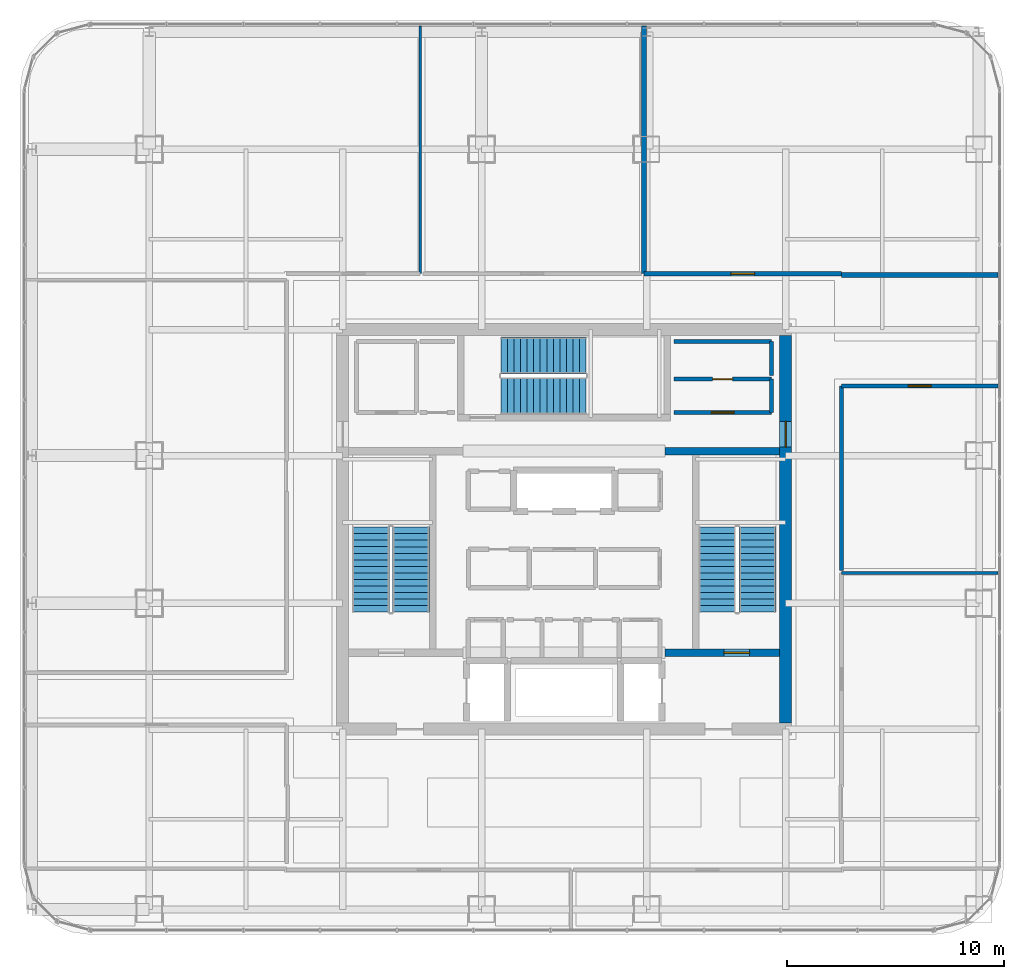
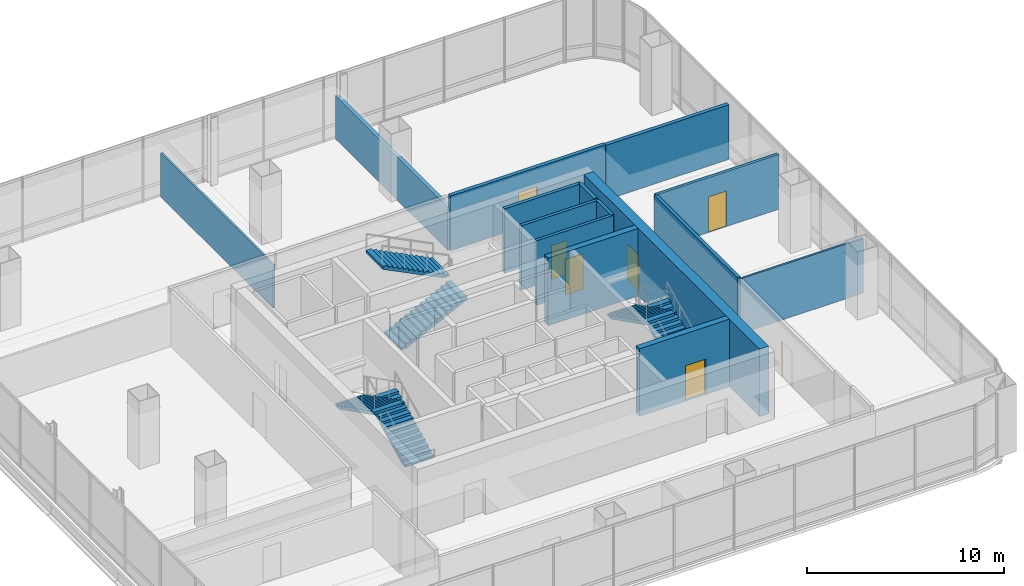
# One storey, part 36 of 41: 15 walls, 6 doors, 6 stair flights, 6 openings, 3 elements without a shape of their own.
"""IFC4 building model written with IfcOpenShell, lengths in metres."""

from ifc_helpers import new_model, si_unit, direction, frame, frame_2d, origin, place, context, subcontext, project, spatial, polyline, rectangle, outline, extrude, material, layer, layer_set, type_object, element, fill, aggregate, save


model = new_model("IFC4")

# Units and contexts
model_context = context("Model", 3, precision=1e-05, world=origin(), true_north=direction((0.0, 1.0)))
body_context = subcontext(model_context, "Body", "Model", "MODEL_VIEW")
ifc_project = project(units=[si_unit("LENGTHUNIT", "METRE"), si_unit("AREAUNIT", "SQUARE_METRE"), si_unit("VOLUMEUNIT", "CUBIC_METRE"), si_unit("PLANEANGLEUNIT", "RADIAN"), si_unit("MASSUNIT", "GRAM", prefix="KILO")], contexts=[model_context])

# Site, building, storey
site_placement = place(None, origin())
site = spatial("IfcSite", under=ifc_project, at=site_placement, CompositionType="ELEMENT")
building_placement = place(site_placement, origin())
building = spatial("IfcBuilding", under=site, at=building_placement, Name="Punatoya Terracotta Tower", CompositionType="ELEMENT")
storey_placement = place(building_placement, frame((0.0, 0.0, 288.0)))
storey = spatial("IfcBuildingStorey", under=building, at=storey_placement, Name="L68", CompositionType="ELEMENT", Elevation=288.0)

# Wall, opening, door
ifc_material_1 = material(Name="Concrete C50/60", Category="concrete")
ifc_layer_1 = layer(ifc_material_1, 0.550048828125)
ifc_layer_set_1 = layer_set([ifc_layer_1], Name="Concrete C50/60")
wall_type_1 = type_object("IfcWallType", Name="WL-COR-550", PredefinedType="SHEAR", material=ifc_layer_set_1)
wall_1_placement = place(storey_placement, frame((10.199951171875, 8.925048828125, 0.0), z_axis=(0.0, 0.0, 1.0), x_axis=(0.0, -1.0, 0.0)))
wall_1 = element("IfcWall", 1, at=wall_1_placement, inside=storey, type_object=wall_type_1, Name="L68 Core Shear Wall E", PredefinedType="SHEAR", context=body_context, shape_type="SweptSolid", body=[
    extrude(rectangle(XDim=17.85009765625, YDim=0.550048828125, at=frame_2d((8.925048828125, 0.0))), origin(), (0.0, 0.0, 1.0), 4.199951171875),
])
opening_1_placement = place(wall_1_placement, frame((3.955078125, 0.0, 0.0)))
opening_1 = element("IfcOpeningElement", 2, at=opening_1_placement, cuts=wall_1, Name="Opening SD-01", PredefinedType="OPENING", context=body_context, shape_type="SweptSolid", body=[
    extrude(rectangle(XDim=1.179931640625, YDim=2.199951171875, at=frame_2d((0.58984375, 1.10009765625))), frame((0.0, 0.284912109375, 0.0), z_axis=(0.0, -1.0, 0.0), x_axis=(1.0, 0.0, 0.0)), (0.0, 0.0, 1.0), 0.570068359375),
])
ifc_material_2 = material(Name="Galvanised Steel Pressurized Stair Fire Door", Category="steel")
door_type_1 = type_object("IfcDoorType", Name="DR-STR-1180", OperationType="NOTDEFINED", PredefinedType="DOOR", material=ifc_material_2)
door_1_placement = place(opening_1_placement, origin())
door_1 = element("IfcDoor", 3, at=door_1_placement, inside=storey, type_object=door_type_1, Name="L68 Central Lift Lobby East Fire Door", OperationType="SINGLE_SWING_RIGHT", OverallHeight=2.199951171875, OverallWidth=1.179931640625, PredefinedType="DOOR", context=body_context, shape_type="SweptSolid", body=[
    extrude(rectangle(XDim=1.179931640625, YDim=2.199951171875, at=frame_2d((0.58984375, 1.10009765625))), frame((0.0, 0.02490234375, 0.0), z_axis=(0.0, -1.0, 0.0), x_axis=(1.0, 0.0, 0.0)), (0.0, 0.0, 1.0), 0.050048828125),
])
fill(opening_1, door_1)

# Wall
ifc_material_3 = material(Name="Gypsum Fireboard + Steel Stud", Category="steel")
ifc_layer_2 = layer(ifc_material_3, 0.179931640625)
ifc_layer_set_2 = layer_set([ifc_layer_2], Name="Gypsum Fireboard + Steel Stud")
wall_type_2 = type_object("IfcWallType", Name="WL-CORR-180", PredefinedType="PARTITIONING", material=ifc_layer_set_2)
wall_2_placement = place(storey_placement, frame((9.550048828125, 5.3798828125, 0.0), z_axis=(0.0, 0.0, 1.0), x_axis=(0.0, 1.0, 0.0)))
element("IfcWall", 4, at=wall_2_placement, inside=storey, type_object=wall_type_2, Name="L68 East Core Reference Room Partition 34", PredefinedType="PARTITIONING", context=body_context, shape_type="SweptSolid", body=[
    extrude(rectangle(XDim=1.5400390625, YDim=0.179931640625, at=frame_2d((0.77001953125, 0.0))), origin(), (0.0, 0.0, 1.0), 4.0),
])

# Wall, opening, door
wall_3_placement = place(storey_placement, frame((9.550048828125, 6.919921875, 0.0), z_axis=(0.0, 0.0, 1.0), x_axis=(-1.0, 0.0, 0.0)))
wall_3 = element("IfcWall", 5, at=wall_3_placement, inside=storey, type_object=wall_type_2, Name="L68 East Core Reference Room Partition 35", PredefinedType="PARTITIONING", context=body_context, shape_type="SweptSolid", body=[
    extrude(rectangle(XDim=4.5, YDim=0.179931640625, at=frame_2d((2.25, 0.0))), origin(), (0.0, 0.0, 1.0), 4.0),
])
opening_2_placement = place(wall_3_placement, frame((1.7900390625, 0.0, 0.0)))
opening_2 = element("IfcOpeningElement", 6, at=opening_2_placement, cuts=wall_3, Name="Opening FD-R1", PredefinedType="OPENING", context=body_context, shape_type="SweptSolid", body=[
    extrude(rectangle(XDim=0.919921875, YDim=2.10009765625, at=frame_2d((0.4599609375, 1.050048828125))), frame((0.0, 0.099853515625, 0.0), z_axis=(0.0, -1.0, 0.0), x_axis=(1.0, 0.0, 0.0)), (0.0, 0.0, 1.0), 0.199951171875),
])
ifc_material_4 = material(Name="Galvanised Steel Riser Fire Access Door", Category="steel")
door_type_2 = type_object("IfcDoorType", Name="DR-RSR-920", OperationType="NOTDEFINED", PredefinedType="DOOR", material=ifc_material_4)
door_2_placement = place(opening_2_placement, origin())
door_2 = element("IfcDoor", 7, at=door_2_placement, inside=storey, type_object=door_type_2, Name="L68 East Core Supply Store Fire Door", OperationType="SINGLE_SWING_LEFT", OverallHeight=2.10009765625, OverallWidth=0.919921875, PredefinedType="DOOR", context=body_context, shape_type="SweptSolid", body=[
    extrude(rectangle(XDim=0.919921875, YDim=2.10009765625, at=frame_2d((0.4599609375, 1.050048828125))), frame((0.0, 0.02490234375, 0.0), z_axis=(0.0, -1.0, 0.0), x_axis=(1.0, 0.0, 0.0)), (0.0, 0.0, 1.0), 0.050048828125),
])
fill(opening_2, door_2)

wall_4_placement = place(storey_placement, frame((5.050048828125, 5.3798828125, 0.0), z_axis=(0.0, 0.0, 1.0), x_axis=(1.0, 0.0, 0.0)))
wall_4 = element("IfcWall", 8, at=wall_4_placement, inside=storey, type_object=wall_type_2, Name="L68 East Core Reference Room Partition 36", PredefinedType="PARTITIONING", context=body_context, shape_type="SweptSolid", body=[
    extrude(rectangle(XDim=4.5, YDim=0.179931640625, at=frame_2d((2.25, 0.0))), origin(), (0.0, 0.0, 1.0), 4.0),
])
opening_3_placement = place(wall_4_placement, frame((1.72509765625, 0.0, 0.0)))
opening_3 = element("IfcOpeningElement", 9, at=opening_3_placement, cuts=wall_4, Name="Opening OD-01", PredefinedType="OPENING", context=body_context, shape_type="SweptSolid", body=[
    extrude(rectangle(XDim=1.050048828125, YDim=2.199951171875, at=frame_2d((0.52490234375, 1.10009765625))), frame((0.0, 0.099853515625, 0.0), z_axis=(0.0, -1.0, 0.0), x_axis=(1.0, 0.0, 0.0)), (0.0, 0.0, 1.0), 0.199951171875),
])
ifc_material_5 = material(Name="Bengal Teak Solid-Core Leaf")
door_type_3 = type_object("IfcDoorType", Name="DR-OFF-1050", OperationType="NOTDEFINED", PredefinedType="DOOR", material=ifc_material_5)
door_3_placement = place(opening_3_placement, origin())
door_3 = element("IfcDoor", 10, at=door_3_placement, inside=storey, type_object=door_type_3, Name="L68 East Reference Room Door", OperationType="SINGLE_SWING_RIGHT", OverallHeight=2.199951171875, OverallWidth=1.050048828125, PredefinedType="DOOR", context=body_context, shape_type="SweptSolid", body=[
    extrude(rectangle(XDim=1.050048828125, YDim=2.199951171875, at=frame_2d((0.52490234375, 1.10009765625))), frame((0.0, 0.02490234375, 0.0), z_axis=(0.0, -1.0, 0.0), x_axis=(1.0, 0.0, 0.0)), (0.0, 0.0, 1.0), 0.050048828125),
])
fill(opening_3, door_3)

wall_5_placement = place(storey_placement, frame((12.77001953125, 6.60009765625, 0.0), z_axis=(0.0, 0.0, 1.0), x_axis=(1.0, 0.0, 0.0)))
wall_5 = element("IfcWall", 11, at=wall_5_placement, inside=storey, type_object=wall_type_2, Name="L68 Open-Plan Laboratory Staff Pantry Partition 55", PredefinedType="PARTITIONING", context=body_context, shape_type="SweptSolid", body=[
    extrude(rectangle(XDim=7.199951171875, YDim=0.179931640625, at=frame_2d((3.60009765625, 0.0))), origin(), (0.0, 0.0, 1.0), 3.39404296875),
])
opening_4_placement = place(wall_5_placement, frame((3.074951171875, 0.0, 0.0)))
opening_4 = element("IfcOpeningElement", 12, at=opening_4_placement, cuts=wall_5, Name="Opening OD-01", PredefinedType="OPENING", context=body_context, shape_type="SweptSolid", body=[
    extrude(rectangle(XDim=1.050048828125, YDim=2.199951171875, at=frame_2d((0.52490234375, 1.10009765625))), frame((0.0, 0.099853515625, 0.0), z_axis=(0.0, -1.0, 0.0), x_axis=(1.0, 0.0, 0.0)), (0.0, 0.0, 1.0), 0.199951171875),
])
door_4_placement = place(opening_4_placement, origin())
door_4 = element("IfcDoor", 13, at=door_4_placement, inside=storey, type_object=door_type_3, Name="L68 Open-Plan Laboratory Staff Pantry Door", OperationType="SINGLE_SWING_LEFT", OverallHeight=2.199951171875, OverallWidth=1.050048828125, PredefinedType="DOOR", context=body_context, shape_type="SweptSolid", body=[
    extrude(rectangle(XDim=1.050048828125, YDim=2.199951171875, at=frame_2d((0.52490234375, 1.10009765625))), frame((0.0, 0.02490234375, 0.0), z_axis=(0.0, -1.0, 0.0), x_axis=(1.0, 0.0, 0.0)), (0.0, 0.0, 1.0), 0.050048828125),
])
fill(opening_4, door_4)

# Walls
wall_6_placement = place(storey_placement, frame((12.77001953125, -1.889892578125, 0.0), z_axis=(0.0, 0.0, 1.0), x_axis=(0.0, 1.0, 0.0)))
element("IfcWall", 14, at=wall_6_placement, inside=storey, type_object=wall_type_2, Name="L68 Open-Plan Laboratory Staff Pantry Partition 56", PredefinedType="PARTITIONING", context=body_context, shape_type="SweptSolid", body=[
    extrude(rectangle(XDim=8.489990234375, YDim=0.179931640625, at=frame_2d((4.2451171875, 0.0))), origin(), (0.0, 0.0, 1.0), 3.39404296875),
])
ifc_material_6 = material(Name="Concrete C40/50", Category="concrete")
ifc_layer_3 = layer(ifc_material_6, 0.219970703125)
ifc_layer_set_3 = layer_set([ifc_layer_3], Name="Concrete C40/50")
wall_type_3 = type_object("IfcWallType", Name="WL-FIR-220", PredefinedType="SOLIDWALL", material=ifc_layer_set_3)
wall_7_placement = place(storey_placement, frame((3.678955078125, 11.77001953125, 0.0), z_axis=(0.0, 0.0, 1.0), x_axis=(0.0, 1.0, 0.0)))
element("IfcWall", 15, at=wall_7_placement, inside=storey, type_object=wall_type_3, Name="L68 Geospatial Data Archive Partition 59", PredefinedType="SOLIDWALL", context=body_context, shape_type="SweptSolid", body=[
    extrude(rectangle(XDim=11.39990234375, YDim=0.219970703125, at=frame_2d((5.699951171875, 0.0))), origin(), (0.0, 0.0, 1.0), 2.674072265625),
])
wall_8_placement = place(storey_placement, frame((19.969970703125, 11.7099609375, 0.0), z_axis=(0.0, 0.0, 1.0), x_axis=(-1.0, 0.0, 0.0)))
element("IfcWall", 16, at=wall_8_placement, inside=storey, type_object=wall_type_3, Name="L68 Geospatial Data Archive Partition 60", PredefinedType="SOLIDWALL", context=body_context, shape_type="SweptSolid", body=[
    extrude(rectangle(XDim=7.199951171875, YDim=0.219970703125, at=frame_2d((3.60009765625, 0.0))), origin(), (0.0, 0.0, 1.0), 3.39404296875),
])

# Wall, opening, door
wall_9_placement = place(storey_placement, frame((12.77001953125, 11.77001953125, 0.0), z_axis=(0.0, 0.0, 1.0), x_axis=(-1.0, 0.0, 0.0)))
wall_9 = element("IfcWall", 17, at=wall_9_placement, inside=storey, type_object=wall_type_3, Name="L68 Geospatial Data Archive Partition 61", PredefinedType="SOLIDWALL", context=body_context, shape_type="SweptSolid", body=[
    extrude(rectangle(XDim=9.091064453125, YDim=0.219970703125, at=frame_2d((4.54541015625, 0.0))), origin(), (0.0, 0.0, 1.0), 3.39404296875),
])
opening_5_placement = place(wall_9_placement, frame((3.99560546875, 0.0, 0.0)))
opening_5 = element("IfcOpeningElement", 18, at=opening_5_placement, cuts=wall_9, Name="Opening FD-P1", PredefinedType="OPENING", context=body_context, shape_type="SweptSolid", body=[
    extrude(rectangle(XDim=1.10009765625, YDim=2.199951171875, at=frame_2d((0.550048828125, 1.10009765625))), frame((0.0, 0.119873046875, 0.0), z_axis=(0.0, -1.0, 0.0), x_axis=(1.0, 0.0, 0.0)), (0.0, 0.0, 1.0), 0.239990234375),
])
ifc_material_7 = material(Name="Galvanised Steel Plant Fire Door", Category="steel")
door_type_4 = type_object("IfcDoorType", Name="DR-PLT-1100", OperationType="NOTDEFINED", PredefinedType="DOOR", material=ifc_material_7)
door_5_placement = place(opening_5_placement, origin())
door_5 = element("IfcDoor", 19, at=door_5_placement, inside=storey, type_object=door_type_4, Name="L68 Geospatial Data Archive Fire Door", OperationType="SINGLE_SWING_LEFT", OverallHeight=2.199951171875, OverallWidth=1.10009765625, PredefinedType="DOOR", context=body_context, shape_type="SweptSolid", body=[
    extrude(rectangle(XDim=1.10009765625, YDim=2.199951171875, at=frame_2d((0.550048828125, 1.10009765625))), frame((0.0, 0.02490234375, 0.0), z_axis=(0.0, -1.0, 0.0), x_axis=(1.0, 0.0, 0.0)), (0.0, 0.0, 1.0), 0.050048828125),
])
fill(opening_5, door_5)

# Walls
ifc_layer_4 = layer(ifc_material_6, 0.199951171875)
ifc_layer_set_4 = layer_set([ifc_layer_4], Name="Concrete C40/50")
wall_type_4 = type_object("IfcWallType", Name="WL-INT-200", PredefinedType="SOLIDWALL", material=ifc_layer_set_4)
wall_10_placement = place(storey_placement, frame((9.550048828125, 7.080078125, 0.0), z_axis=(0.0, 0.0, 1.0), x_axis=(0.0, 1.0, 0.0)))
element("IfcWall", 20, at=wall_10_placement, inside=storey, type_object=wall_type_4, Name="L68 East Core Supply Store Partition 37", PredefinedType="SOLIDWALL", context=body_context, shape_type="SweptSolid", body=[
    extrude(rectangle(XDim=1.56982421875, YDim=0.199951171875, at=frame_2d((0.784912109375, 0.0))), origin(), (0.0, 0.0, 1.0), 4.0),
])
wall_11_placement = place(storey_placement, frame((9.550048828125, 8.64990234375, 0.0), z_axis=(0.0, 0.0, 1.0), x_axis=(-1.0, 0.0, 0.0)))
element("IfcWall", 21, at=wall_11_placement, inside=storey, type_object=wall_type_4, Name="L68 East Core Supply Store Partition 38", PredefinedType="SOLIDWALL", context=body_context, shape_type="SweptSolid", body=[
    extrude(rectangle(XDim=4.5, YDim=0.199951171875, at=frame_2d((2.25, 0.0))), origin(), (0.0, 0.0, 1.0), 4.0),
])
ifc_material_8 = material(Name="Gypsum Partition + Steel Stud", Category="steel")
ifc_layer_5 = layer(ifc_material_8, 0.1201171875)
ifc_layer_set_5 = layer_set([ifc_layer_5], Name="Gypsum Partition + Steel Stud")
wall_type_5 = type_object("IfcWallType", Name="WL-OFF-120", PredefinedType="PARTITIONING", material=ifc_layer_set_5)
wall_12_placement = place(storey_placement, frame((12.77001953125, -2.010009765625, 0.0), z_axis=(0.0, 0.0, 1.0), x_axis=(1.0, 0.0, 0.0)))
element("IfcWall", 22, at=wall_12_placement, inside=storey, type_object=wall_type_5, Name="L68 Open-Plan Environmental Research Laboratory Partition 50", PredefinedType="PARTITIONING", context=body_context, shape_type="SweptSolid", body=[
    extrude(rectangle(XDim=7.199951171875, YDim=0.1201171875, at=frame_2d((3.60009765625, 0.0))), origin(), (0.0, 0.0, 1.0), 3.39404296875),
])
wall_13_placement = place(storey_placement, frame((-6.626953125, 23.169921875, 0.0), z_axis=(0.0, 0.0, 1.0), x_axis=(0.0, -1.0, 0.0)))
element("IfcWall", 23, at=wall_13_placement, inside=storey, type_object=wall_type_5, Name="L68 Wellness Rest Room Partition 57", PredefinedType="PARTITIONING", context=body_context, shape_type="SweptSolid", body=[
    extrude(rectangle(XDim=11.39990234375, YDim=0.1201171875, at=frame_2d((5.699951171875, 0.0))), origin(), (0.0, 0.0, 1.0), 2.714111328125),
])

# Wall, opening, door
ifc_layer_6 = layer(ifc_material_1, 0.35009765625)
ifc_layer_set_6 = layer_set([ifc_layer_6], Name="Concrete C50/60")
wall_type_6 = type_object("IfcWallType", Name="WL-SHF-350", PredefinedType="SOLIDWALL", material=ifc_layer_set_6)
wall_14_placement = place(storey_placement, frame((4.64990234375, -5.679931640625, 0.0), z_axis=(0.0, 0.0, 1.0), x_axis=(1.0, 0.0, 0.0)))
wall_14 = element("IfcWall", 24, at=wall_14_placement, inside=storey, type_object=wall_type_6, Name="L68 Core Web Wall CSW-R", PredefinedType="SOLIDWALL", context=body_context, shape_type="SweptSolid", body=[
    extrude(rectangle(XDim=5.275146484375, YDim=0.35009765625, at=frame_2d((2.6376953125, 0.0))), origin(), (0.0, 0.0, 1.0), 4.199951171875),
])
opening_6_placement = place(wall_14_placement, frame((2.7099609375, 0.0, 0.0)))
opening_6 = element("IfcOpeningElement", 25, at=opening_6_placement, cuts=wall_14, Name="Opening SD-01", PredefinedType="OPENING", context=body_context, shape_type="SweptSolid", body=[
    extrude(rectangle(XDim=1.179931640625, YDim=2.199951171875, at=frame_2d((0.58984375, 1.10009765625))), frame((0.0, 0.18505859375, 0.0), z_axis=(0.0, -1.0, 0.0), x_axis=(1.0, 0.0, 0.0)), (0.0, 0.0, 1.0), 0.3701171875),
])
door_6_placement = place(opening_6_placement, origin())
door_6 = element("IfcDoor", 26, at=door_6_placement, inside=storey, type_object=door_type_1, Name="L68 Stair ST-2 Smokeproof Lobby Fire Door", OperationType="SINGLE_SWING_RIGHT", OverallHeight=2.199951171875, OverallWidth=1.179931640625, PredefinedType="DOOR", context=body_context, shape_type="SweptSolid", body=[
    extrude(rectangle(XDim=1.179931640625, YDim=2.199951171875, at=frame_2d((0.58984375, 1.10009765625))), frame((0.0, 0.02490234375, 0.0), z_axis=(0.0, -1.0, 0.0), x_axis=(1.0, 0.0, 0.0)), (0.0, 0.0, 1.0), 0.050048828125),
])
fill(opening_6, door_6)

# Wall
wall_15_placement = place(storey_placement, frame((4.64990234375, 3.60009765625, 0.0), z_axis=(0.0, 0.0, 1.0), x_axis=(1.0, 0.0, 0.0)))
element("IfcWall", 27, at=wall_15_placement, inside=storey, type_object=wall_type_6, Name="L68 Core Web Wall CNW-R", PredefinedType="SOLIDWALL", context=body_context, shape_type="SweptSolid", body=[
    extrude(rectangle(XDim=5.275146484375, YDim=0.35009765625, at=frame_2d((2.6376953125, 0.0))), origin(), (0.0, 0.0, 1.0), 4.199951171875),
])

# Stair, stair flights
stair_type_1 = type_object("IfcStairType", Name="STR-CORE-1550", PredefinedType="HALF_TURN_STAIR", material=ifc_material_6)
stair_1_placement = place(storey_placement, origin())
stair_1 = element("IfcStair", 28, at=stair_1_placement, inside=storey, type_object=stair_type_1, Name="L68 Protected Core Exit Stair ST-1", PredefinedType="HALF_TURN_STAIR")
stair_flight_type_1 = type_object("IfcStairFlightType", Name="SFL-CORE-1550", PredefinedType="STRAIGHT", material=ifc_material_6)
stair_flight_1_placement = place(storey_placement, frame((-7.050048828125, -3.800048828125, 0.0), z_axis=(0.0, 0.0, 1.0), x_axis=(0.0, 1.0, 0.0)))
stair_flight_1 = element("IfcStairFlight", 29, at=stair_flight_1_placement, type_object=stair_flight_type_1, Name="ST-1 flight 1", NumberOfRisers=14, NumberOfTreads=13, PredefinedType="STRAIGHT", RiserHeight=0.15, TreadLength=0.3, context=body_context, shape_type="SweptSolid", body=[
    extrude(outline(polyline([(0.0, 0.0), (0.0, 0.14990234375), (0.300048828125, 0.14990234375), (0.300048828125, 0.300048828125), (0.60009765625, 0.300048828125), (0.60009765625, 0.449951171875), (0.89990234375, 0.449951171875), (0.89990234375, 0.60009765625), (1.199951171875, 0.60009765625), (1.199951171875, 0.75), (1.5, 0.75), (1.5, 0.89990234375), (1.800048828125, 0.89990234375), (1.800048828125, 1.050048828125), (2.10009765625, 1.050048828125), (2.10009765625, 1.199951171875), (2.39990234375, 1.199951171875), (2.39990234375, 1.35009765625), (2.699951171875, 1.35009765625), (2.699951171875, 1.5), (3.0, 1.5), (3.0, 1.64990234375), (3.300048828125, 1.64990234375), (3.300048828125, 1.800048828125), (3.60009765625, 1.800048828125), (3.60009765625, 1.949951171875), (3.89990234375, 1.949951171875), (3.89990234375, 2.10009765625), (3.89990234375, 1.782470703125), (0.335205078125, 0.0), (0.0, 0.0)])), frame((0.0, 0.85009765625, 0.0), z_axis=(0.0, -1.0, 0.0), x_axis=(1.0, 0.0, 0.0)), (0.0, 0.0, 1.0), 1.699951171875),
])
stair_flight_2_placement = place(storey_placement, frame((-8.89990234375, 0.10009765625, 2.10009765625), z_axis=(0.0, 0.0, 1.0), x_axis=(0.0, -1.0, 0.0)))
stair_flight_2 = element("IfcStairFlight", 30, at=stair_flight_2_placement, type_object=stair_flight_type_1, Name="ST-1 flight 2", NumberOfRisers=14, NumberOfTreads=13, PredefinedType="STRAIGHT", RiserHeight=0.15, TreadLength=0.3, context=body_context, shape_type="SweptSolid", body=[
    extrude(outline(polyline([(0.0, 0.0), (0.0, 0.14990234375), (0.300048828125, 0.14990234375), (0.300048828125, 0.300048828125), (0.60009765625, 0.300048828125), (0.60009765625, 0.449951171875), (0.89990234375, 0.449951171875), (0.89990234375, 0.60009765625), (1.199951171875, 0.60009765625), (1.199951171875, 0.75), (1.5, 0.75), (1.5, 0.89990234375), (1.800048828125, 0.89990234375), (1.800048828125, 1.050048828125), (2.10009765625, 1.050048828125), (2.10009765625, 1.199951171875), (2.39990234375, 1.199951171875), (2.39990234375, 1.35009765625), (2.699951171875, 1.35009765625), (2.699951171875, 1.5), (3.0, 1.5), (3.0, 1.64990234375), (3.300048828125, 1.64990234375), (3.300048828125, 1.800048828125), (3.60009765625, 1.800048828125), (3.60009765625, 1.949951171875), (3.89990234375, 1.949951171875), (3.89990234375, 2.10009765625), (3.89990234375, 1.782470703125), (0.335205078125, 0.0), (0.0, 0.0)])), frame((0.0, 0.85009765625, 0.0), z_axis=(0.0, -1.0, 0.0), x_axis=(1.0, 0.0, 0.0)), (0.0, 0.0, 1.0), 1.699951171875),
])
aggregate(stair_1, [stair_flight_1, stair_flight_2])

stair_type_2 = type_object("IfcStairType", Name="STR-LOB-1650", PredefinedType="HALF_TURN_STAIR", material=ifc_material_6)
stair_2_placement = place(storey_placement, origin())
stair_2 = element("IfcStair", 31, at=stair_2_placement, inside=storey, type_object=stair_type_2, Name="L68 Protected Core Exit Stair ST-2", PredefinedType="HALF_TURN_STAIR")
stair_flight_type_2 = type_object("IfcStairFlightType", Name="SFL-LOB-1650", PredefinedType="STRAIGHT", material=ifc_material_6)
stair_flight_3_placement = place(storey_placement, frame((8.89990234375, -3.800048828125, 0.0), z_axis=(0.0, 0.0, 1.0), x_axis=(0.0, 1.0, 0.0)))
stair_flight_3 = element("IfcStairFlight", 32, at=stair_flight_3_placement, type_object=stair_flight_type_2, Name="ST-2 flight 1", NumberOfRisers=14, NumberOfTreads=13, PredefinedType="STRAIGHT", RiserHeight=0.15, TreadLength=0.3, context=body_context, shape_type="SweptSolid", body=[
    extrude(outline(polyline([(0.0, 0.0), (0.0, 0.14990234375), (0.300048828125, 0.14990234375), (0.300048828125, 0.300048828125), (0.60009765625, 0.300048828125), (0.60009765625, 0.449951171875), (0.89990234375, 0.449951171875), (0.89990234375, 0.60009765625), (1.199951171875, 0.60009765625), (1.199951171875, 0.75), (1.5, 0.75), (1.5, 0.89990234375), (1.800048828125, 0.89990234375), (1.800048828125, 1.050048828125), (2.10009765625, 1.050048828125), (2.10009765625, 1.199951171875), (2.39990234375, 1.199951171875), (2.39990234375, 1.35009765625), (2.699951171875, 1.35009765625), (2.699951171875, 1.5), (3.0, 1.5), (3.0, 1.64990234375), (3.300048828125, 1.64990234375), (3.300048828125, 1.800048828125), (3.60009765625, 1.800048828125), (3.60009765625, 1.949951171875), (3.89990234375, 1.949951171875), (3.89990234375, 2.10009765625), (3.89990234375, 1.782470703125), (0.335205078125, 0.0), (0.0, 0.0)])), frame((0.0, 0.85009765625, 0.0), z_axis=(0.0, -1.0, 0.0), x_axis=(1.0, 0.0, 0.0)), (0.0, 0.0, 1.0), 1.699951171875),
])
stair_flight_4_placement = place(storey_placement, frame((7.050048828125, 0.10009765625, 2.10009765625), z_axis=(0.0, 0.0, 1.0), x_axis=(0.0, -1.0, 0.0)))
stair_flight_4 = element("IfcStairFlight", 33, at=stair_flight_4_placement, type_object=stair_flight_type_2, Name="ST-2 flight 2", NumberOfRisers=14, NumberOfTreads=13, PredefinedType="STRAIGHT", RiserHeight=0.15, TreadLength=0.3, context=body_context, shape_type="SweptSolid", body=[
    extrude(outline(polyline([(0.0, 0.0), (0.0, 0.14990234375), (0.300048828125, 0.14990234375), (0.300048828125, 0.300048828125), (0.60009765625, 0.300048828125), (0.60009765625, 0.449951171875), (0.89990234375, 0.449951171875), (0.89990234375, 0.60009765625), (1.199951171875, 0.60009765625), (1.199951171875, 0.75), (1.5, 0.75), (1.5, 0.89990234375), (1.800048828125, 0.89990234375), (1.800048828125, 1.050048828125), (2.10009765625, 1.050048828125), (2.10009765625, 1.199951171875), (2.39990234375, 1.199951171875), (2.39990234375, 1.35009765625), (2.699951171875, 1.35009765625), (2.699951171875, 1.5), (3.0, 1.5), (3.0, 1.64990234375), (3.300048828125, 1.64990234375), (3.300048828125, 1.800048828125), (3.60009765625, 1.800048828125), (3.60009765625, 1.949951171875), (3.89990234375, 1.949951171875), (3.89990234375, 2.10009765625), (3.89990234375, 1.782470703125), (0.335205078125, 0.0), (0.0, 0.0)])), frame((0.0, 0.85009765625, 0.0), z_axis=(0.0, -1.0, 0.0), x_axis=(1.0, 0.0, 0.0)), (0.0, 0.0, 1.0), 1.699951171875),
])
aggregate(stair_2, [stair_flight_3, stair_flight_4])

stair_type_3 = type_object("IfcStairType", Name="STR-TER-1450", PredefinedType="HALF_TURN_STAIR", material=ifc_material_6)
stair_3_placement = place(storey_placement, origin())
stair_3 = element("IfcStair", 34, at=stair_3_placement, inside=storey, type_object=stair_type_3, Name="L68 Protected Core Exit Stair ST-3", PredefinedType="HALF_TURN_STAIR")
stair_flight_type_3 = type_object("IfcStairFlightType", Name="SFL-TER-1450", PredefinedType="STRAIGHT", material=ifc_material_6)
stair_flight_5_placement = place(storey_placement, frame((-2.89990234375, 6.14990234375, 0.0), z_axis=(0.0, 0.0, 1.0), x_axis=(1.0, 0.0, 0.0)))
stair_flight_5 = element("IfcStairFlight", 35, at=stair_flight_5_placement, type_object=stair_flight_type_3, Name="ST-3 flight 1", NumberOfRisers=14, NumberOfTreads=13, PredefinedType="STRAIGHT", RiserHeight=0.15, TreadLength=0.3, context=body_context, shape_type="SweptSolid", body=[
    extrude(outline(polyline([(0.0, 0.0), (0.0, 0.14990234375), (0.300048828125, 0.14990234375), (0.300048828125, 0.300048828125), (0.60009765625, 0.300048828125), (0.60009765625, 0.449951171875), (0.89990234375, 0.449951171875), (0.89990234375, 0.60009765625), (1.199951171875, 0.60009765625), (1.199951171875, 0.75), (1.5, 0.75), (1.5, 0.89990234375), (1.800048828125, 0.89990234375), (1.800048828125, 1.050048828125), (2.10009765625, 1.050048828125), (2.10009765625, 1.199951171875), (2.39990234375, 1.199951171875), (2.39990234375, 1.35009765625), (2.699951171875, 1.35009765625), (2.699951171875, 1.5), (3.0, 1.5), (3.0, 1.64990234375), (3.300048828125, 1.64990234375), (3.300048828125, 1.800048828125), (3.60009765625, 1.800048828125), (3.60009765625, 1.949951171875), (3.89990234375, 1.949951171875), (3.89990234375, 2.10009765625), (3.89990234375, 1.782470703125), (0.335205078125, 0.0), (0.0, 0.0)])), frame((0.0, 0.85009765625, 0.0), z_axis=(0.0, -1.0, 0.0), x_axis=(1.0, 0.0, 0.0)), (0.0, 0.0, 1.0), 1.699951171875),
])
stair_flight_6_placement = place(storey_placement, frame((1.0, 8.0, 2.10009765625), z_axis=(0.0, 0.0, 1.0), x_axis=(-1.0, 0.0, 0.0)))
stair_flight_6 = element("IfcStairFlight", 36, at=stair_flight_6_placement, type_object=stair_flight_type_3, Name="ST-3 flight 2", NumberOfRisers=14, NumberOfTreads=13, PredefinedType="STRAIGHT", RiserHeight=0.15, TreadLength=0.3, context=body_context, shape_type="SweptSolid", body=[
    extrude(outline(polyline([(0.0, 0.0), (0.0, 0.14990234375), (0.300048828125, 0.14990234375), (0.300048828125, 0.300048828125), (0.60009765625, 0.300048828125), (0.60009765625, 0.449951171875), (0.89990234375, 0.449951171875), (0.89990234375, 0.60009765625), (1.199951171875, 0.60009765625), (1.199951171875, 0.75), (1.5, 0.75), (1.5, 0.89990234375), (1.800048828125, 0.89990234375), (1.800048828125, 1.050048828125), (2.10009765625, 1.050048828125), (2.10009765625, 1.199951171875), (2.39990234375, 1.199951171875), (2.39990234375, 1.35009765625), (2.699951171875, 1.35009765625), (2.699951171875, 1.5), (3.0, 1.5), (3.0, 1.64990234375), (3.300048828125, 1.64990234375), (3.300048828125, 1.800048828125), (3.60009765625, 1.800048828125), (3.60009765625, 1.949951171875), (3.89990234375, 1.949951171875), (3.89990234375, 2.10009765625), (3.89990234375, 1.782470703125), (0.335205078125, 0.0), (0.0, 0.0)])), frame((0.0, 0.85009765625, 0.0), z_axis=(0.0, -1.0, 0.0), x_axis=(1.0, 0.0, 0.0)), (0.0, 0.0, 1.0), 1.699951171875),
])
aggregate(stair_3, [stair_flight_5, stair_flight_6])

save(model, "model.ifc")
